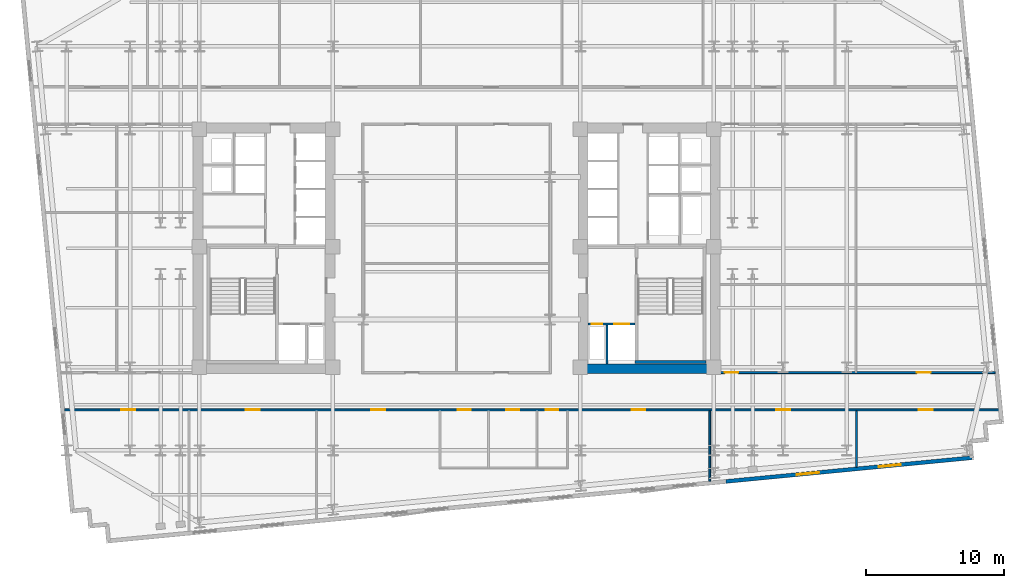
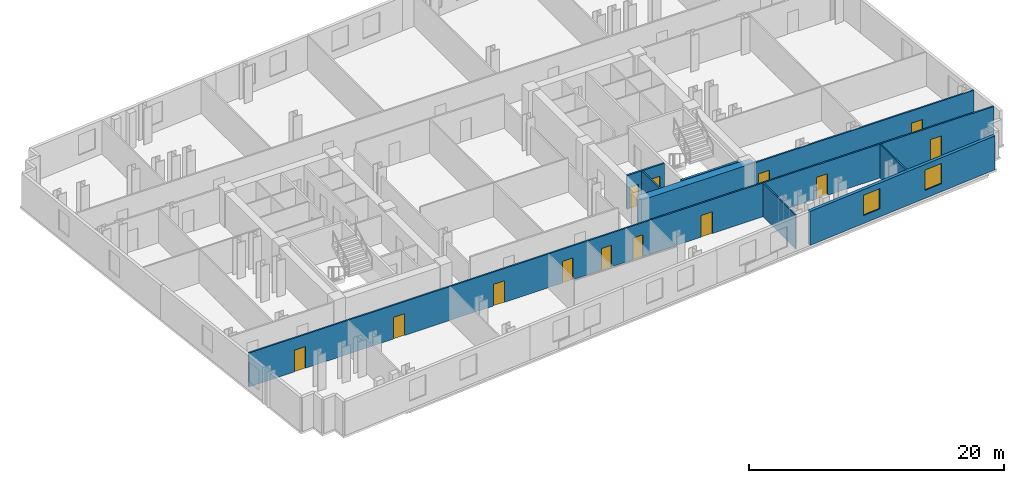
# One storey, part 6 of 11: 13 doors, 9 walls, 2 windows, 15 openings.
"""IFC4 building model written with IfcOpenShell, lengths in metres."""

from ifc_helpers import new_model, si_unit, direction, frame, frame_2d, origin, place, context, subcontext, project, spatial, rectangle, extrude, material, layer, layer_set, type_object, element, fill, save


model = new_model("IFC4")

# Units and contexts
model_context = context("Model", 3, precision=1e-05, world=origin(), true_north=direction((0.0, 1.0)))
body_context = subcontext(model_context, "Body", "Model", "MODEL_VIEW")
ifc_project = project(units=[si_unit("LENGTHUNIT", "METRE"), si_unit("AREAUNIT", "SQUARE_METRE"), si_unit("VOLUMEUNIT", "CUBIC_METRE"), si_unit("PLANEANGLEUNIT", "RADIAN"), si_unit("MASSUNIT", "GRAM", prefix="KILO")], contexts=[model_context])

# Site, building, storey
site_placement = place(None, origin())
site = spatial("IfcSite", under=ifc_project, at=site_placement, CompositionType="ELEMENT")
building_placement = place(site_placement, origin())
building = spatial("IfcBuilding", under=site, at=building_placement, Name="Velakula Bourse", CompositionType="ELEMENT")
storey_placement = place(building_placement, frame((0.0, 0.0, 101.800048828125)))
storey = spatial("IfcBuildingStorey", under=building, at=storey_placement, Name="L27", CompositionType="ELEMENT", Elevation=101.800048828125)

# Walls
ifc_material_1 = material(Name="Concrete M50 (fck 50 MPa)", Category="concrete")
ifc_layer_1 = layer(ifc_material_1, 0.2099609375, Name="Concrete M50 (fck 50 MPa)", Category="concrete")
ifc_layer_set_1 = layer_set([ifc_layer_1], Name="Concrete M50 (fck 50 MPa)")
wall_type_1 = type_object("IfcWallType", Name="WL-CORE-210", PredefinedType="SHEAR", material=ifc_layer_set_1)
wall_1_placement = place(storey_placement, frame((12.889892578125, -8.205078125, 0.0), z_axis=(0.0, 0.0, 1.0), x_axis=(1.0, 0.0, 0.0)))
element("IfcWall", 1, at=wall_1_placement, inside=storey, type_object=wall_type_1, Name="L27 Core E Stairwell Shear Wall S", PredefinedType="SHEAR", context=body_context, shape_type="SweptSolid", body=[
    extrude(rectangle(XDim=5.14013671875, YDim=0.2099609375, at=frame_2d((2.570068359375, 0.0))), origin(), (0.0, 0.0, 1.0), 3.27001953125),
])
ifc_material_2 = material(Name="Concrete M70 (fck 70 MPa)", Category="concrete")
ifc_layer_2 = layer(ifc_material_2, 0.699951171875, Name="Concrete M70 (fck 70 MPa)", Category="concrete")
ifc_layer_set_2 = layer_set([ifc_layer_2], Name="Concrete M70 (fck 70 MPa)")
wall_type_2 = type_object("IfcWallType", Name="WL-CORE-700", PredefinedType="SHEAR", material=ifc_layer_set_2)
wall_2_placement = place(storey_placement, frame((8.800048828125, -8.699951171875, 0.0), z_axis=(0.0, 0.0, 1.0), x_axis=(1.0, 0.0, 0.0)))
element("IfcWall", 2, at=wall_2_placement, inside=storey, type_object=wall_type_2, Name="L27 Core E Shear Wall S", PredefinedType="SHEAR", context=body_context, shape_type="SweptSolid", body=[
    extrude(rectangle(XDim=10.25, YDim=0.699951171875, at=frame_2d((5.125, 0.0))), origin(), (0.0, 0.0, 1.0), 3.27001953125),
])

# Wall, openings, windows
ifc_material_3 = material(Name="Red kilned clay facing brick masonry", Category="masonry")
ifc_layer_3 = layer(ifc_material_3, 0.280029296875, Name="Red kilned clay facing brick masonry", Category="masonry")
ifc_layer_set_3 = layer_set([ifc_layer_3], Name="Red kilned clay facing brick masonry")
wall_type_3 = type_object("IfcWallType", Name="WL-EXT-BRK-280", PredefinedType="STANDARD", material=ifc_layer_set_3)
wall_3_placement = place(storey_placement, frame((37.2314453125, -15.138427734375, 0.0), z_axis=(0.0, 0.0, 1.0), x_axis=(-0.995395780835, -0.095850088663, 0.0)))
wall_3 = element("IfcWall", 3, at=wall_3_placement, inside=storey, type_object=wall_type_3, Name="L27 S Brick Spandrel Wall B5", PredefinedType="STANDARD", context=body_context, shape_type="SweptSolid", body=[
    extrude(rectangle(XDim=17.83984375, YDim=0.280029296875, at=frame_2d((8.919921875, 0.0))), origin(), (0.0, 0.0, 1.0), 3.25),
])
opening_1_placement = place(wall_3_placement, frame((5.146728515625, 0.0, 0.760009765625)))
opening_1 = element("IfcOpeningElement", 4, at=opening_1_placement, cuts=wall_3, Name="Opening W-02", PredefinedType="OPENING", context=body_context, shape_type="SweptSolid", body=[
    extrude(rectangle(XDim=1.60009765625, YDim=1.949951171875, at=frame_2d((0.800048828125, 0.97509765625))), frame((0.0, 0.14990234375, 0.0), z_axis=(0.0, -1.0, 0.0), x_axis=(1.0, 0.0, 0.0)), (0.0, 0.0, 1.0), 0.300048828125),
])
opening_2_placement = place(wall_3_placement, frame((11.09326171875, 0.0, 0.760009765625)))
opening_2 = element("IfcOpeningElement", 5, at=opening_2_placement, cuts=wall_3, Name="Opening W-02", PredefinedType="OPENING", context=body_context, shape_type="SweptSolid", body=[
    extrude(rectangle(XDim=1.60009765625, YDim=1.949951171875, at=frame_2d((0.800048828125, 0.97509765625))), frame((0.0, 0.14990234375, 0.0), z_axis=(0.0, -1.0, 0.0), x_axis=(1.0, 0.0, 0.0)), (0.0, 0.0, 1.0), 0.300048828125),
])
ifc_material_4 = material(Name="Double-glazed solar-control Low-E glass", Category="glass")
window_type = type_object("IfcWindowType", Name="WIN-TWR-1600x2100", PartitioningType="SINGLE_PANEL", PredefinedType="WINDOW", material=ifc_material_4)
window_1_placement = place(opening_1_placement, origin())
window_1 = element("IfcWindow", 6, at=window_1_placement, inside=storey, type_object=window_type, Name="L27 Deep-Set Recessed Window 1", OverallHeight=1.949951171875, OverallWidth=1.60009765625, PartitioningType="SINGLE_PANEL", PredefinedType="WINDOW", context=body_context, shape_type="SweptSolid", body=[
    extrude(rectangle(XDim=1.60009765625, YDim=1.949951171875, at=frame_2d((0.800048828125, 0.97509765625))), frame((0.0, 0.030029296875, 0.0), z_axis=(0.0, -1.0, 0.0), x_axis=(1.0, 0.0, 0.0)), (0.0, 0.0, 1.0), 0.06005859375),
])
fill(opening_1, window_1)
window_2_placement = place(opening_2_placement, origin())
window_2 = element("IfcWindow", 7, at=window_2_placement, inside=storey, type_object=window_type, Name="L27 Deep-Set Recessed Window 2", OverallHeight=1.949951171875, OverallWidth=1.60009765625, PartitioningType="SINGLE_PANEL", PredefinedType="WINDOW", context=body_context, shape_type="SweptSolid", body=[
    extrude(rectangle(XDim=1.60009765625, YDim=1.949951171875, at=frame_2d((0.800048828125, 0.97509765625))), frame((0.0, 0.030029296875, 0.0), z_axis=(0.0, -1.0, 0.0), x_axis=(1.0, 0.0, 0.0)), (0.0, 0.0, 1.0), 0.06005859375),
])
fill(opening_2, window_2)

# Walls
ifc_material_5 = material(Name="Fire-rated double-layer gypsum drywall partition", Category="gypsum")
ifc_layer_4 = layer(ifc_material_5, 0.1201171875, Name="Fire-rated double-layer gypsum drywall partition", Category="gypsum")
ifc_layer_set_4 = layer_set([ifc_layer_4], Name="Fire-rated double-layer gypsum drywall partition")
wall_type_4 = type_object("IfcWallType", Name="WL-PART-120", PredefinedType="STANDARD", material=ifc_layer_set_4)
wall_4_placement = place(storey_placement, frame((18.2939453125, -16.84130859375, 0.0), z_axis=(0.0, 0.0, 1.0), x_axis=(0.0, 1.0, 0.0)))
element("IfcWall", 8, at=wall_4_placement, inside=storey, type_object=wall_type_4, Name="L27 Interior Partition WL-INT-L27-SR-D7", PredefinedType="STANDARD", context=body_context, shape_type="SweptSolid", body=[
    extrude(rectangle(XDim=5.101318359375, YDim=0.1201171875, at=frame_2d((2.55078125, 0.0))), origin(), (0.0, 0.0, 1.0), 3.25),
])
wall_5_placement = place(storey_placement, frame((28.89990234375, -15.820068359375, 0.0), z_axis=(0.0, 0.0, 1.0), x_axis=(0.0, 1.0, 0.0)))
element("IfcWall", 9, at=wall_5_placement, inside=storey, type_object=wall_type_4, Name="L27 Interior Partition WL-INT-L27-SR-D8", PredefinedType="STANDARD", context=body_context, shape_type="SweptSolid", body=[
    extrude(rectangle(XDim=4.080078125, YDim=0.1201171875, at=frame_2d((2.0400390625, 0.0))), origin(), (0.0, 0.0, 1.0), 3.25),
])

# Wall, openings, doors
ifc_layer_5 = layer(ifc_material_5, 0.139892578125, Name="Fire-rated double-layer gypsum drywall partition", Category="gypsum")
ifc_layer_set_5 = layer_set([ifc_layer_5], Name="Fire-rated double-layer gypsum drywall partition")
wall_type_5 = type_object("IfcWallType", Name="WL-PART-140", PredefinedType="STANDARD", material=ifc_layer_set_5)
wall_6_placement = place(storey_placement, frame((-28.36279296875, -11.669921875, 0.0), z_axis=(0.0, 0.0, 1.0), x_axis=(1.0, 0.0, 0.0)))
wall_6 = element("IfcWall", 10, at=wall_6_placement, inside=storey, type_object=wall_type_5, Name="L27 Interior Partition WL-INT-L27-S-CORR", PredefinedType="STANDARD", context=body_context, shape_type="SweptSolid", body=[
    extrude(rectangle(XDim=67.55078125, YDim=0.139892578125, at=frame_2d((33.775390625, 0.0))), origin(), (0.0, 0.0, 1.0), 3.25),
])
opening_3_placement = place(wall_6_placement, frame((28.452880859375, 0.0, 0.0)))
opening_3 = element("IfcOpeningElement", 11, at=opening_3_placement, cuts=wall_6, Name="Opening D-WT1", PredefinedType="OPENING", context=body_context, shape_type="SweptSolid", body=[
    extrude(rectangle(XDim=0.919921875, YDim=2.080078125, at=frame_2d((0.4599609375, 1.0400390625))), frame((0.0, 0.079833984375, 0.0), z_axis=(0.0, -1.0, 0.0), x_axis=(1.0, 0.0, 0.0)), (0.0, 0.0, 1.0), 0.159912109375),
])
opening_4_placement = place(wall_6_placement, frame((31.952880859375, 0.0, 0.0)))
opening_4 = element("IfcOpeningElement", 12, at=opening_4_placement, cuts=wall_6, Name="Opening D-WT1", PredefinedType="OPENING", context=body_context, shape_type="SweptSolid", body=[
    extrude(rectangle(XDim=0.919921875, YDim=2.080078125, at=frame_2d((0.4599609375, 1.0400390625))), frame((0.0, 0.079833984375, 0.0), z_axis=(0.0, -1.0, 0.0), x_axis=(1.0, 0.0, 0.0)), (0.0, 0.0, 1.0), 0.159912109375),
])
opening_5_placement = place(wall_6_placement, frame((34.802978515625, 0.0, 0.0)))
opening_5 = element("IfcOpeningElement", 13, at=opening_5_placement, cuts=wall_6, Name="Opening D-WC1", PredefinedType="OPENING", context=body_context, shape_type="SweptSolid", body=[
    extrude(rectangle(XDim=0.919921875, YDim=2.080078125, at=frame_2d((0.4599609375, 1.0400390625))), frame((0.0, 0.079833984375, 0.0), z_axis=(0.0, -1.0, 0.0), x_axis=(1.0, 0.0, 0.0)), (0.0, 0.0, 1.0), 0.159912109375),
])
opening_6_placement = place(wall_6_placement, frame((4.13037109375, 0.0, 0.0)))
opening_6 = element("IfcOpeningElement", 14, at=opening_6_placement, cuts=wall_6, Name="Opening D-OF1", PredefinedType="OPENING", context=body_context, shape_type="SweptSolid", body=[
    extrude(rectangle(XDim=1.0, YDim=2.080078125, at=frame_2d((0.5, 1.0400390625))), frame((0.0, 0.079833984375, 0.0), z_axis=(0.0, -1.0, 0.0), x_axis=(1.0, 0.0, 0.0)), (0.0, 0.0, 1.0), 0.159912109375),
])
opening_7_placement = place(wall_6_placement, frame((13.114990234375, 0.0, 0.0)))
opening_7 = element("IfcOpeningElement", 15, at=opening_7_placement, cuts=wall_6, Name="Opening D-OF1", PredefinedType="OPENING", context=body_context, shape_type="SweptSolid", body=[
    extrude(rectangle(XDim=1.0, YDim=2.080078125, at=frame_2d((0.5, 1.0400390625))), frame((0.0, 0.079833984375, 0.0), z_axis=(0.0, -1.0, 0.0), x_axis=(1.0, 0.0, 0.0)), (0.0, 0.0, 1.0), 0.159912109375),
])
opening_8_placement = place(wall_6_placement, frame((22.19189453125, 0.0, 0.0)))
opening_8 = element("IfcOpeningElement", 16, at=opening_8_placement, cuts=wall_6, Name="Opening D-OF1", PredefinedType="OPENING", context=body_context, shape_type="SweptSolid", body=[
    extrude(rectangle(XDim=1.0, YDim=2.080078125, at=frame_2d((0.5, 1.0400390625))), frame((0.0, 0.079833984375, 0.0), z_axis=(0.0, -1.0, 0.0), x_axis=(1.0, 0.0, 0.0)), (0.0, 0.0, 1.0), 0.159912109375),
])
opening_9_placement = place(wall_6_placement, frame((41.010009765625, 0.0, 0.0)))
opening_9 = element("IfcOpeningElement", 17, at=opening_9_placement, cuts=wall_6, Name="Opening D-OF1", PredefinedType="OPENING", context=body_context, shape_type="SweptSolid", body=[
    extrude(rectangle(XDim=1.0, YDim=2.080078125, at=frame_2d((0.5, 1.0400390625))), frame((0.0, 0.079833984375, 0.0), z_axis=(0.0, -1.0, 0.0), x_axis=(1.0, 0.0, 0.0)), (0.0, 0.0, 1.0), 0.159912109375),
])
opening_10_placement = place(wall_6_placement, frame((51.4599609375, 0.0, 0.0)))
opening_10 = element("IfcOpeningElement", 18, at=opening_10_placement, cuts=wall_6, Name="Opening D-OF1", PredefinedType="OPENING", context=body_context, shape_type="SweptSolid", body=[
    extrude(rectangle(XDim=1.0, YDim=2.080078125, at=frame_2d((0.5, 1.0400390625))), frame((0.0, 0.079833984375, 0.0), z_axis=(0.0, -1.0, 0.0), x_axis=(1.0, 0.0, 0.0)), (0.0, 0.0, 1.0), 0.159912109375),
])
opening_11_placement = place(wall_6_placement, frame((61.781005859375, 0.0, 0.0)))
opening_11 = element("IfcOpeningElement", 19, at=opening_11_placement, cuts=wall_6, Name="Opening D-OF1", PredefinedType="OPENING", context=body_context, shape_type="SweptSolid", body=[
    extrude(rectangle(XDim=1.0, YDim=2.080078125, at=frame_2d((0.5, 1.0400390625))), frame((0.0, 0.079833984375, 0.0), z_axis=(0.0, -1.0, 0.0), x_axis=(1.0, 0.0, 0.0)), (0.0, 0.0, 1.0), 0.159912109375),
])
ifc_material_6 = material(Name="Fire-rated hardwood flush architectural door", Category="wood")
door_type_1 = type_object("IfcDoorType", Name="DR-OFF-1000", OperationType="NOTDEFINED", PredefinedType="DOOR", material=ifc_material_6)
door_1_placement = place(opening_6_placement, origin())
door_1 = element("IfcDoor", 20, at=door_1_placement, inside=storey, type_object=door_type_1, Name="L27 Economic Reference Library Door", OperationType="SINGLE_SWING_LEFT", OverallHeight=2.080078125, OverallWidth=1.0, PredefinedType="DOOR", context=body_context, shape_type="SweptSolid", body=[
    extrude(rectangle(XDim=1.0, YDim=2.080078125, at=frame_2d((0.5, 1.0400390625))), frame((0.0, 0.02490234375, 0.0), z_axis=(0.0, -1.0, 0.0), x_axis=(1.0, 0.0, 0.0)), (0.0, 0.0, 1.0), 0.050048828125),
])
fill(opening_6, door_1)
door_2_placement = place(opening_7_placement, origin())
door_2 = element("IfcDoor", 21, at=door_2_placement, inside=storey, type_object=door_type_1, Name="L27 Margin Control Office Door", OperationType="SINGLE_SWING_RIGHT", OverallHeight=2.080078125, OverallWidth=1.0, PredefinedType="DOOR", context=body_context, shape_type="SweptSolid", body=[
    extrude(rectangle(XDim=1.0, YDim=2.080078125, at=frame_2d((0.5, 1.0400390625))), frame((0.0, 0.02490234375, 0.0), z_axis=(0.0, -1.0, 0.0), x_axis=(1.0, 0.0, 0.0)), (0.0, 0.0, 1.0), 0.050048828125),
])
fill(opening_7, door_2)
door_3_placement = place(opening_8_placement, origin())
door_3 = element("IfcDoor", 22, at=door_3_placement, inside=storey, type_object=door_type_1, Name="L27 Risk Review Boardroom Door", OperationType="SINGLE_SWING_LEFT", OverallHeight=2.080078125, OverallWidth=1.0, PredefinedType="DOOR", context=body_context, shape_type="SweptSolid", body=[
    extrude(rectangle(XDim=1.0, YDim=2.080078125, at=frame_2d((0.5, 1.0400390625))), frame((0.0, 0.02490234375, 0.0), z_axis=(0.0, -1.0, 0.0), x_axis=(1.0, 0.0, 0.0)), (0.0, 0.0, 1.0), 0.050048828125),
])
fill(opening_8, door_3)
door_4_placement = place(opening_9_placement, origin())
door_4 = element("IfcDoor", 23, at=door_4_placement, inside=storey, type_object=door_type_1, Name="L27 Catering Servery Pantry Door", OperationType="SINGLE_SWING_RIGHT", OverallHeight=2.080078125, OverallWidth=1.0, PredefinedType="DOOR", context=body_context, shape_type="SweptSolid", body=[
    extrude(rectangle(XDim=1.0, YDim=2.080078125, at=frame_2d((0.5, 1.0400390625))), frame((0.0, 0.02490234375, 0.0), z_axis=(0.0, -1.0, 0.0), x_axis=(1.0, 0.0, 0.0)), (0.0, 0.0, 1.0), 0.050048828125),
])
fill(opening_9, door_4)
door_5_placement = place(opening_10_placement, origin())
door_5 = element("IfcDoor", 24, at=door_5_placement, inside=storey, type_object=door_type_1, Name="L27 Sovereign Wealth Desk Workspace Door", OperationType="SINGLE_SWING_LEFT", OverallHeight=2.080078125, OverallWidth=1.0, PredefinedType="DOOR", context=body_context, shape_type="SweptSolid", body=[
    extrude(rectangle(XDim=1.0, YDim=2.080078125, at=frame_2d((0.5, 1.0400390625))), frame((0.0, 0.02490234375, 0.0), z_axis=(0.0, -1.0, 0.0), x_axis=(1.0, 0.0, 0.0)), (0.0, 0.0, 1.0), 0.050048828125),
])
fill(opening_10, door_5)
door_6_placement = place(opening_11_placement, origin())
door_6 = element("IfcDoor", 25, at=door_6_placement, inside=storey, type_object=door_type_1, Name="L27 Margin Control Office Door", OperationType="SINGLE_SWING_RIGHT", OverallHeight=2.080078125, OverallWidth=1.0, PredefinedType="DOOR", context=body_context, shape_type="SweptSolid", body=[
    extrude(rectangle(XDim=1.0, YDim=2.080078125, at=frame_2d((0.5, 1.0400390625))), frame((0.0, 0.02490234375, 0.0), z_axis=(0.0, -1.0, 0.0), x_axis=(1.0, 0.0, 0.0)), (0.0, 0.0, 1.0), 0.050048828125),
])
fill(opening_11, door_6)
door_type_2 = type_object("IfcDoorType", Name="DR-WC-950", OperationType="NOTDEFINED", PredefinedType="DOOR", material=ifc_material_6)
door_7_placement = place(opening_3_placement, origin())
door_7 = element("IfcDoor", 26, at=door_7_placement, inside=storey, type_object=door_type_2, Name="L27 Male Staff Toilet Door", OperationType="SINGLE_SWING_RIGHT", OverallHeight=2.080078125, OverallWidth=0.919921875, PredefinedType="DOOR", context=body_context, shape_type="SweptSolid", body=[
    extrude(rectangle(XDim=0.919921875, YDim=2.080078125, at=frame_2d((0.4599609375, 1.0400390625))), frame((0.0, 0.02490234375, 0.0), z_axis=(0.0, -1.0, 0.0), x_axis=(1.0, 0.0, 0.0)), (0.0, 0.0, 1.0), 0.050048828125),
])
fill(opening_3, door_7)
door_8_placement = place(opening_4_placement, origin())
door_8 = element("IfcDoor", 27, at=door_8_placement, inside=storey, type_object=door_type_2, Name="L27 Female Staff Toilet Door", OperationType="SINGLE_SWING_LEFT", OverallHeight=2.080078125, OverallWidth=0.919921875, PredefinedType="DOOR", context=body_context, shape_type="SweptSolid", body=[
    extrude(rectangle(XDim=0.919921875, YDim=2.080078125, at=frame_2d((0.4599609375, 1.0400390625))), frame((0.0, 0.02490234375, 0.0), z_axis=(0.0, -1.0, 0.0), x_axis=(1.0, 0.0, 0.0)), (0.0, 0.0, 1.0), 0.050048828125),
])
fill(opening_4, door_8)
door_9_placement = place(opening_5_placement, origin())
door_9 = element("IfcDoor", 28, at=door_9_placement, inside=storey, type_object=door_type_2, Name="L27 Accessible WC Door", OperationType="SINGLE_SWING_RIGHT", OverallHeight=2.080078125, OverallWidth=0.919921875, PredefinedType="DOOR", context=body_context, shape_type="SweptSolid", body=[
    extrude(rectangle(XDim=0.919921875, YDim=2.080078125, at=frame_2d((0.4599609375, 1.0400390625))), frame((0.0, 0.02490234375, 0.0), z_axis=(0.0, -1.0, 0.0), x_axis=(1.0, 0.0, 0.0)), (0.0, 0.0, 1.0), 0.050048828125),
])
fill(opening_5, door_9)

wall_7_placement = place(storey_placement, frame((19.050048828125, -8.97998046875, 0.0), z_axis=(0.0, 0.0, 1.0), x_axis=(1.0, 0.0, 0.0)))
wall_7 = element("IfcWall", 29, at=wall_7_placement, inside=storey, type_object=wall_type_5, Name="L27 Interior Partition WL-INT-L27-E-SC", PredefinedType="STANDARD", context=body_context, shape_type="SweptSolid", body=[
    extrude(rectangle(XDim=19.87890625, YDim=0.139892578125, at=frame_2d((9.939453125, 0.0))), origin(), (0.0, 0.0, 1.0), 3.25),
])
opening_12_placement = place(wall_7_placement, frame((0.320068359375, 0.0, 0.0)))
opening_12 = element("IfcOpeningElement", 30, at=opening_12_placement, cuts=wall_7, Name="Opening D-OF1", PredefinedType="OPENING", context=body_context, shape_type="SweptSolid", body=[
    extrude(rectangle(XDim=1.0, YDim=2.080078125, at=frame_2d((0.5, 1.0400390625))), frame((0.0, 0.079833984375, 0.0), z_axis=(0.0, -1.0, 0.0), x_axis=(1.0, 0.0, 0.0)), (0.0, 0.0, 1.0), 0.159912109375),
])
opening_13_placement = place(wall_7_placement, frame((14.214111328125, 0.0, 0.0)))
opening_13 = element("IfcOpeningElement", 31, at=opening_13_placement, cuts=wall_7, Name="Opening D-OF1", PredefinedType="OPENING", context=body_context, shape_type="SweptSolid", body=[
    extrude(rectangle(XDim=1.0, YDim=2.080078125, at=frame_2d((0.5, 1.0400390625))), frame((0.0, 0.079833984375, 0.0), z_axis=(0.0, -1.0, 0.0), x_axis=(1.0, 0.0, 0.0)), (0.0, 0.0, 1.0), 0.159912109375),
])
door_10_placement = place(opening_12_placement, origin())
door_10 = element("IfcDoor", 32, at=door_10_placement, inside=storey, type_object=door_type_1, Name="L27 Margin Control Office Door", OperationType="SINGLE_SWING_LEFT", OverallHeight=2.080078125, OverallWidth=1.0, PredefinedType="DOOR", context=body_context, shape_type="SweptSolid", body=[
    extrude(rectangle(XDim=1.0, YDim=2.080078125, at=frame_2d((0.5, 1.0400390625))), frame((0.0, 0.02490234375, 0.0), z_axis=(0.0, -1.0, 0.0), x_axis=(1.0, 0.0, 0.0)), (0.0, 0.0, 1.0), 0.050048828125),
])
fill(opening_12, door_10)
door_11_placement = place(opening_13_placement, origin())
door_11 = element("IfcDoor", 33, at=door_11_placement, inside=storey, type_object=door_type_1, Name="L27 Listing Committee Chamber Door", OperationType="SINGLE_SWING_RIGHT", OverallHeight=2.080078125, OverallWidth=1.0, PredefinedType="DOOR", context=body_context, shape_type="SweptSolid", body=[
    extrude(rectangle(XDim=1.0, YDim=2.080078125, at=frame_2d((0.5, 1.0400390625))), frame((0.0, 0.02490234375, 0.0), z_axis=(0.0, -1.0, 0.0), x_axis=(1.0, 0.0, 0.0)), (0.0, 0.0, 1.0), 0.050048828125),
])
fill(opening_13, door_11)

ifc_material_7 = material(Name="Autoclaved aerated concrete blockwork masonry", Category="masonry")
ifc_layer_6 = layer(ifc_material_7, 0.14990234375, Name="Autoclaved aerated concrete blockwork masonry", Category="masonry")
ifc_layer_set_6 = layer_set([ifc_layer_6], Name="Autoclaved aerated concrete blockwork masonry")
wall_type_6 = type_object("IfcWallType", Name="WL-SHAFT-150", PredefinedType="STANDARD", material=ifc_layer_set_6)
wall_8_placement = place(storey_placement, frame((9.5, -5.47509765625, 0.0), z_axis=(0.0, 0.0, 1.0), x_axis=(1.0, 0.0, 0.0)))
wall_8 = element("IfcWall", 34, at=wall_8_placement, inside=storey, type_object=wall_type_6, Name="L27 Interior Partition WL-CRE-L27-FFL-N", PredefinedType="STANDARD", context=body_context, shape_type="SweptSolid", body=[
    extrude(rectangle(XDim=3.39501953125, YDim=0.14990234375, at=frame_2d((1.697509765625, 0.0))), origin(), (0.0, 0.0, 1.0), 3.25),
])
opening_14_placement = place(wall_8_placement, frame((1.875, 0.0, 0.0)))
opening_14 = element("IfcOpeningElement", 35, at=opening_14_placement, cuts=wall_8, Name="Opening LD-FFL-2", PredefinedType="OPENING", context=body_context, shape_type="SweptSolid", body=[
    extrude(rectangle(XDim=1.10009765625, YDim=2.14990234375, at=frame_2d((0.550048828125, 1.074951171875))), frame((0.0, 0.0849609375, 0.0), z_axis=(0.0, -1.0, 0.0), x_axis=(1.0, 0.0, 0.0)), (0.0, 0.0, 1.0), 0.169921875),
])
opening_15_placement = place(wall_8_placement, frame((0.27490234375, 0.0, 0.0)))
opening_15 = element("IfcOpeningElement", 36, at=opening_15_placement, cuts=wall_8, Name="Opening D-RS1", PredefinedType="OPENING", context=body_context, shape_type="SweptSolid", body=[
    extrude(rectangle(XDim=0.75, YDim=2.050048828125, at=frame_2d((0.375, 1.02490234375))), frame((0.0, 0.0849609375, 0.0), z_axis=(0.0, -1.0, 0.0), x_axis=(1.0, 0.0, 0.0)), (0.0, 0.0, 1.0), 0.169921875),
])
ifc_material_8 = material(Name="Galvanised painted hollow steel fire door", Category="steel")
door_type_3 = type_object("IfcDoorType", Name="DR-RISER-800", OperationType="NOTDEFINED", PredefinedType="DOOR", material=ifc_material_8)
door_12_placement = place(opening_15_placement, origin())
door_12 = element("IfcDoor", 37, at=door_12_placement, inside=storey, type_object=door_type_3, Name="L27 Fire Riser Access Door", OperationType="SINGLE_SWING_LEFT", OverallHeight=2.050048828125, OverallWidth=0.75, PredefinedType="DOOR", context=body_context, shape_type="SweptSolid", body=[
    extrude(rectangle(XDim=0.75, YDim=2.050048828125, at=frame_2d((0.375, 1.02490234375))), frame((0.0, 0.02490234375, 0.0), z_axis=(0.0, -1.0, 0.0), x_axis=(1.0, 0.0, 0.0)), (0.0, 0.0, 1.0), 0.050048828125),
])
fill(opening_15, door_12)
ifc_material_9 = material(Name="Brushed grade 316 stainless steel", Category="steel")
door_type_4 = type_object("IfcDoorType", Name="DR-SLIDE-FFL-1100", OperationType="DOUBLE_DOOR_SLIDING", PredefinedType="DOOR", material=ifc_material_9)
door_13_placement = place(opening_14_placement, origin())
door_13 = element("IfcDoor", 38, at=door_13_placement, inside=storey, type_object=door_type_4, Name="L27 Firefighting Lift FFL-2 Sliding Landing Door", OperationType="DOUBLE_DOOR_SLIDING", OverallHeight=2.14990234375, OverallWidth=1.10009765625, PredefinedType="DOOR", context=body_context, shape_type="SweptSolid", body=[
    extrude(rectangle(XDim=1.10009765625, YDim=2.14990234375, at=frame_2d((0.550048828125, 1.074951171875))), frame((0.0, 0.02490234375, 0.0), z_axis=(0.0, -1.0, 0.0), x_axis=(1.0, 0.0, 0.0)), (0.0, 0.0, 1.0), 0.050048828125),
])
fill(opening_14, door_13)

# Wall
wall_9_placement = place(storey_placement, frame((10.875, -8.35009765625, 0.0), z_axis=(0.0, 0.0, 1.0), x_axis=(0.0, 1.0, 0.0)))
element("IfcWall", 39, at=wall_9_placement, inside=storey, type_object=wall_type_6, Name="L27 Interior Partition WL-CRE-L27-FR-DIV", PredefinedType="STANDARD", context=body_context, shape_type="SweptSolid", body=[
    extrude(rectangle(XDim=2.800048828125, YDim=0.14990234375, at=frame_2d((1.39990234375, 0.0))), origin(), (0.0, 0.0, 1.0), 3.25),
])

save(model, "model.ifc")
